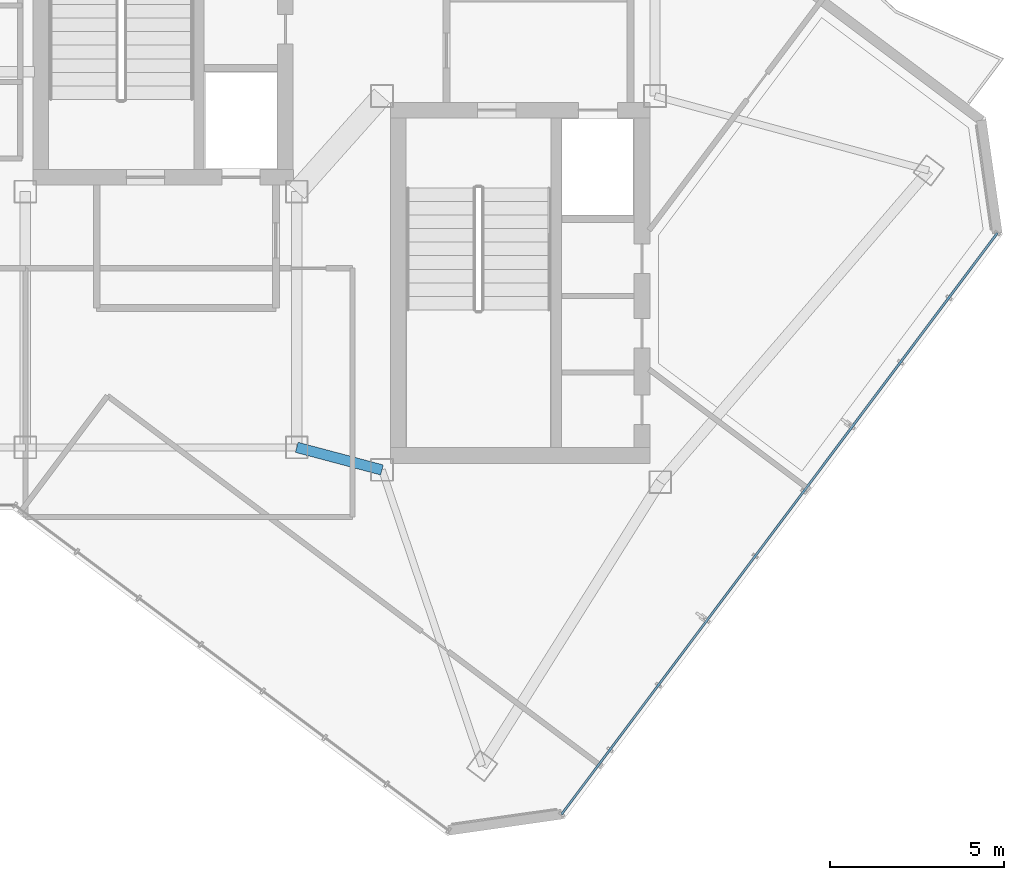
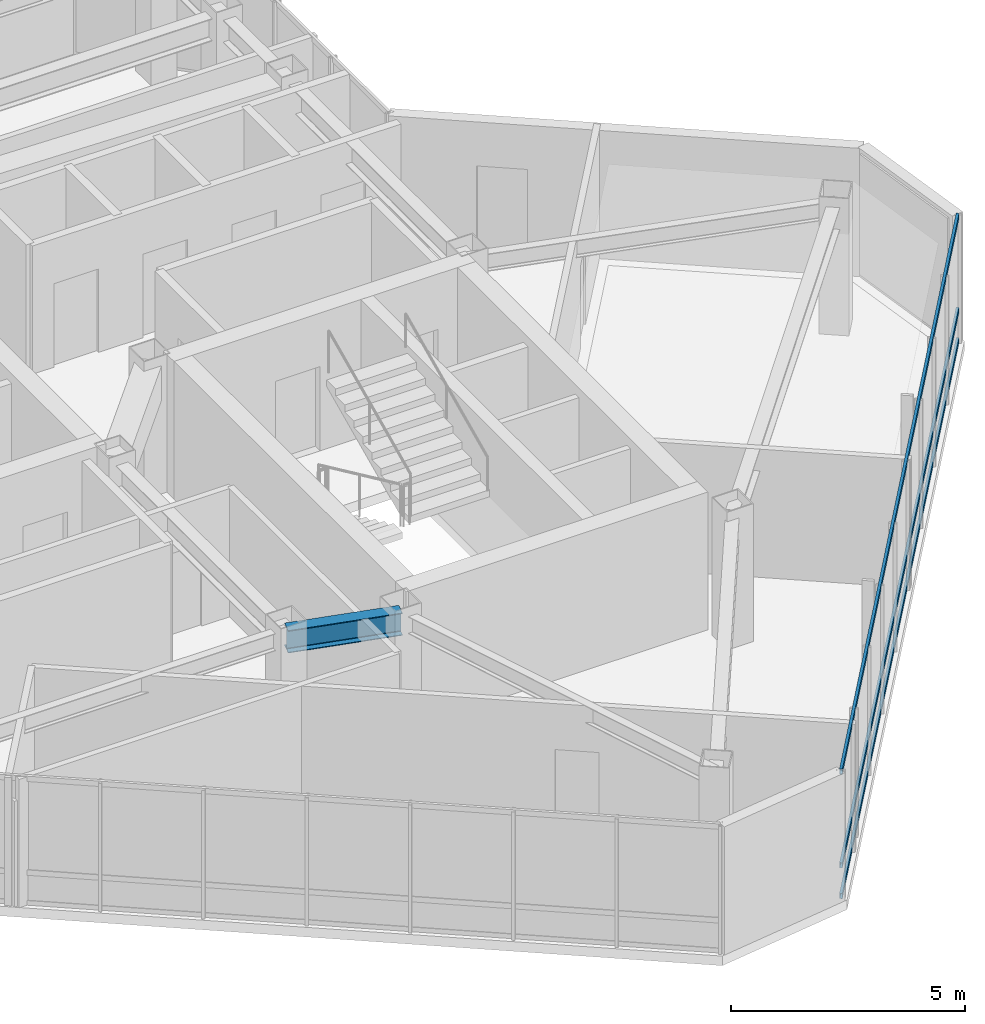
# One storey, part 6 of 18: 3 members, 1 beam, 1 element without a shape of its own.
"""IFC4 building model written with IfcOpenShell, lengths in metres."""

import ifcopenshell
import ifcopenshell.guid

model = None  # the IFC model being written
_history = None  # IfcOwnerHistory: only IFC2X3 demands one
_inside = {}  # id of a spatial element -> (the spatial element, [elements in it])
_under = {}  # id of a project, library or spatial element -> (it, [spatial elements below it])
_declared = {}  # id of a project -> (the project, [libraries it declares])
_typed = {}  # id of a type object -> (the type object, [elements of that type])
_made_of = {}  # id of a material, layer set ... -> (it, [elements and type objects made of it])


def new_model(schema):
    """Start an empty IFC model of exactly this schema.

    Asked for "IFC4X3", IfcOpenShell would pick the latest addendum, in which some entities
    have other attributes; the version numbers below select the first issue.
    IFC2X3 requires an IfcOwnerHistory on every rooted entity: one is made here for all.
    """
    global model, _history
    if schema == "IFC4X3":
        model = ifcopenshell.file(schema_version=(4, 3, 0, 0))
    else:
        model = ifcopenshell.file(schema=schema)
    _inside.clear()
    _under.clear()
    _declared.clear()
    _typed.clear()
    _made_of.clear()
    _history = None
    if model.schema == "IFC2X3":
        org = make("IfcOrganization", Name="unknown")
        user = make(
            "IfcPersonAndOrganization",
            ThePerson=make("IfcPerson", FamilyName="unknown"),
            TheOrganization=org,
        )
        app = make(
            "IfcApplication",
            ApplicationDeveloper=org,
            Version="unknown",
            ApplicationFullName="unknown",
            ApplicationIdentifier="unknown",
        )
        _history = make(
            "IfcOwnerHistory",
            OwningUser=user,
            OwningApplication=app,
            ChangeAction="ADDED",
            CreationDate=0,
        )
    return model


def make(cls, **values):
    """One entity of the class cls with the attributes given. An attribute that is None is left unset."""
    return model.create_entity(
        cls, **{name: value for name, value in values.items() if value is not None}
    )


def rooted(cls, **values):
    """An entity with a GlobalId (a new one), such as an element, a storey or a relation."""
    return make(cls, GlobalId=ifcopenshell.guid.new(), OwnerHistory=_history, **values)


def si_unit(unit_type, name, prefix=None):
    """IfcSIUnit, for example si_unit("LENGTHUNIT", "METRE", prefix="MILLI")."""
    return make("IfcSIUnit", UnitType=unit_type, Prefix=prefix, Name=name)


def assignment(units):
    """IfcUnitAssignment: the units of a project."""
    return None if units is None else make("IfcUnitAssignment", Units=units)


def point(xyz):
    """IfcCartesianPoint."""
    return None if xyz is None else make("IfcCartesianPoint", Coordinates=xyz)


def direction(xyz):
    """IfcDirection."""
    return None if xyz is None else make("IfcDirection", DirectionRatios=xyz)


def frame(location, z_axis=None, x_axis=None):
    """IfcAxis2Placement3D, a coordinate frame: its origin and axes. An axis left out is left unset."""
    return make(
        "IfcAxis2Placement3D",
        Location=point(location),
        Axis=direction(z_axis),
        RefDirection=direction(x_axis),
    )


def frame_2d(location, x_axis=None):
    """IfcAxis2Placement2D, a coordinate frame in the plane: its origin and x axis."""
    return make(
        "IfcAxis2Placement2D", Location=point(location), RefDirection=direction(x_axis)
    )


def origin():
    """The frame at (0, 0, 0) with its axes left unset."""
    return frame((0.0, 0.0, 0.0))


def origin_2d():
    """The frame at (0, 0) in the plane with its x axis left unset."""
    return frame_2d((0.0, 0.0))


def place(relative_to, where):
    """IfcLocalPlacement: puts the frame where relative to a parent placement (None: the world)."""
    return make(
        "IfcLocalPlacement", PlacementRelTo=relative_to, RelativePlacement=where
    )


def context(
    kind, dimensions, precision=None, world=None, true_north=None, identifier=None
):
    """IfcGeometricRepresentationContext, for example the 3D "Model" context."""
    return make(
        "IfcGeometricRepresentationContext",
        ContextIdentifier=identifier,
        ContextType=kind,
        CoordinateSpaceDimension=dimensions,
        Precision=precision,
        WorldCoordinateSystem=world,
        TrueNorth=true_north,
    )


def subcontext(parent, identifier, kind, view, scale=None):
    """IfcGeometricRepresentationSubContext, for example "Body" below "Model"."""
    return make(
        "IfcGeometricRepresentationSubContext",
        ContextIdentifier=identifier,
        ContextType=kind,
        ParentContext=parent,
        TargetScale=scale,
        TargetView=view,
    )


def project(units=None, contexts=None):
    """IfcProject with its units and contexts."""
    return rooted(
        "IfcProject",
        Name="project",
        RepresentationContexts=contexts,
        UnitsInContext=assignment(units),
    )


def spatial(cls, under=None, at=None, **own):
    """A site, building, storey or space (cls), placed at a placement, below another one or the project."""
    s = rooted(cls, ObjectPlacement=at, **own)
    if under is not None:
        _under.setdefault(under.id(), (under, []))[1].append(s)
    return s


def profile(cls, at=None, kind="AREA", **sizes):
    """A parametric profile (cls). Its sizes go by their IFC names, for example OverallWidth=200.0."""
    return make(cls, ProfileType=kind, Position=at, **sizes)


def hollow_rectangle(**sizes):
    """IfcRectangleHollowProfileDef."""
    return profile("IfcRectangleHollowProfileDef", **sizes)


def i_section(**sizes):
    """IfcIShapeProfileDef."""
    return profile("IfcIShapeProfileDef", **sizes)


def extrude(swept, where, along, depth):
    """IfcExtrudedAreaSolid: the profile swept, set in the frame where, extruded along a direction by depth."""
    return make(
        "IfcExtrudedAreaSolid",
        SweptArea=swept,
        Position=where,
        ExtrudedDirection=direction(along),
        Depth=depth,
    )


def shape(context_of_items, identifier, shape_type, items):
    """IfcShapeRepresentation: the items that make up one representation, for example the "Body"."""
    return make(
        "IfcShapeRepresentation",
        ContextOfItems=context_of_items,
        RepresentationIdentifier=identifier,
        RepresentationType=shape_type,
        Items=items,
    )


def material(Name=None, Category=None):
    """IfcMaterial."""
    return make("IfcMaterial", Name=Name, Category=Category)


def layer(
    of_material, thickness, ventilated=None, Name=None, Category=None, Priority=None
):
    """IfcMaterialLayer: one layer of a wall or slab, of a material (None: an air gap)."""
    return make(
        "IfcMaterialLayer",
        Material=of_material,
        LayerThickness=thickness,
        IsVentilated=ventilated,
        Name=Name,
        Category=Category,
        Priority=Priority,
    )


def layer_set(layers, Name=None):
    """IfcMaterialLayerSet."""
    return make("IfcMaterialLayerSet", MaterialLayers=layers, LayerSetName=Name)


def material_profile(
    of_material, cross_section, Name=None, Category=None, Priority=None
):
    """IfcMaterialProfile: a cross section and its material."""
    return make(
        "IfcMaterialProfile",
        Name=Name,
        Material=of_material,
        Profile=cross_section,
        Priority=Priority,
        Category=Category,
    )


def profile_set(profiles, Name=None, composite=None):
    """IfcMaterialProfileSet."""
    return make(
        "IfcMaterialProfileSet",
        Name=Name,
        MaterialProfiles=profiles,
        CompositeProfile=composite,
    )


def made_of(thing, what):
    """Note that an element or type object is made of a material, layer set ...; save() writes the relation."""
    if what is not None:
        _made_of.setdefault(what.id(), (what, []))[1].append(thing)
    return thing


def type_object(cls, material=None, **own):
    """A type object (cls), such as IfcWallType, which elements share."""
    return made_of(rooted(cls, **own), material)


def element(
    cls,
    number,
    at=None,
    inside=None,
    cuts=None,
    type_object=None,
    material=None,
    context=None,
    identifier="Body",
    shape_type=None,
    held_by="IfcProductDefinitionShape",
    body=None,
    shapes=None,
    **own,
):
    """One element of the class cls, such as IfcWall. Its Tag is "e" and its number.

    at: its placement. inside: the storey or other place that contains it. cuts: it is an
    opening in that element (IfcRelVoidsElement). A single representation is given by context,
    identifier, shape_type and body (its items); several are given by shapes. held_by: the class
    of the entity that holds the representations. save() writes the other relations.
    """
    e = rooted(cls, Tag="e%d" % number, ObjectPlacement=at, **own)
    if body is not None:
        shapes = [shape(context, identifier, shape_type, body)]
    if shapes is not None:
        e.Representation = make(held_by, Representations=shapes)
    if inside is not None:
        _inside.setdefault(inside.id(), (inside, []))[1].append(e)
    if cuts is not None:
        rooted(
            "IfcRelVoidsElement", RelatingBuildingElement=cuts, RelatedOpeningElement=e
        )
    if type_object is not None:
        _typed.setdefault(type_object.id(), (type_object, []))[1].append(e)
    return made_of(e, material)


def aggregate(whole, parts):
    """IfcRelAggregates: a whole, such as a stair, and the parts it consists of."""
    return rooted("IfcRelAggregates", RelatingObject=whole, RelatedObjects=parts)


def save(model, path):
    """Write the relations noted so far, then the file.

    IfcRelAggregates (storeys below a building ...), IfcRelContainedInSpatialStructure (elements
    in a storey), IfcRelDefinesByType, IfcRelAssociatesMaterial and IfcRelDeclares: one each for
    every whole, place, type object, material and project.
    """
    for whole, parts in _under.values():
        aggregate(whole, parts)
    for where, things in _inside.values():
        rooted(
            "IfcRelContainedInSpatialStructure",
            RelatedElements=things,
            RelatingStructure=where,
        )
    for kind, things in _typed.values():
        rooted("IfcRelDefinesByType", RelatedObjects=things, RelatingType=kind)
    for what, things in _made_of.values():
        rooted("IfcRelAssociatesMaterial", RelatedObjects=things, RelatingMaterial=what)
    for by, libraries in _declared.values():
        rooted("IfcRelDeclares", RelatingContext=by, RelatedDefinitions=libraries)
    model.write(path)


model = new_model("IFC4")

# Units and contexts
model_context = context("Model", 3, precision=1e-05, world=origin(), true_north=direction((0.0, 1.0)))
body_context = subcontext(model_context, "Body", "Model", "MODEL_VIEW")
ifc_project = project(units=[si_unit("LENGTHUNIT", "METRE"), si_unit("AREAUNIT", "SQUARE_METRE"), si_unit("VOLUMEUNIT", "CUBIC_METRE"), si_unit("PLANEANGLEUNIT", "RADIAN"), si_unit("MASSUNIT", "GRAM", prefix="KILO")], contexts=[model_context])

# Site, building, storey
site_placement = place(None, origin())
site = spatial("IfcSite", under=ifc_project, at=site_placement, CompositionType="ELEMENT")
building_placement = place(site_placement, origin())
building = spatial("IfcBuilding", under=site, at=building_placement, Name="Hatsunagi Terrace Concourse", CompositionType="ELEMENT")
storey_placement = place(building_placement, frame((0.0, 0.0, 250.35009765625)))
storey = spatial("IfcBuildingStorey", under=building, at=storey_placement, Name="L66", CompositionType="ELEMENT", Elevation=250.35009765625)

# Curtain wall, members
ifc_material_1 = material(Name="Anodised Aluminium Alloy 6063-T5", Category="aluminium")
ifc_layer = layer(ifc_material_1, 0.199951171875)
ifc_layer_set = layer_set([ifc_layer], Name="OfficeZone2_CW04")
curtain_wall_type = type_object("IfcCurtainWallType", Name="OfficeZone2_CW04", PredefinedType="NOTDEFINED", material=ifc_layer_set)
curtain_wall_placement = place(storey_placement, origin())
curtain_wall = element("IfcCurtainWall", 1, at=curtain_wall_placement, inside=storey, type_object=curtain_wall_type, Name="Unitised Curtain Wall CW-04 CW-L66-03", PredefinedType="NOTDEFINED")
ifc_material_2 = material(Name="Anodised Aluminium Alloy 6063-T5", Category="aluminium")
ifc_material_profile_1 = material_profile(ifc_material_2, hollow_rectangle(XDim=0.06494140625, YDim=0.139892578125, WallThickness=0.00390625, at=origin_2d()), Name="ALU-TRN-140x65x4")
ifc_profile_set_1 = profile_set([ifc_material_profile_1], Name="Anodised Aluminium Alloy 6063-T5")
member_type = type_object("IfcMemberType", Name="CurtainWallTransom_140x65", PredefinedType="USERDEFINED", material=ifc_profile_set_1)
member_1_placement = place(storey_placement, frame((53.492919921875, 31.35791015625, 0.0498046875), z_axis=(-0.599970072971, -0.800022444397, 0.0), x_axis=(0.800022444397, -0.599970072971, 0.0)))
member_1 = element("IfcMember", 2, at=member_1_placement, type_object=member_type, Name="Curtain Wall Transom TRN-02", ObjectType="TRANSOM", PredefinedType="USERDEFINED", context=body_context, shape_type="SweptSolid", body=[
    extrude(hollow_rectangle(XDim=0.06494140625, YDim=0.139892578125, WallThickness=0.00390625, at=origin_2d()), origin(), (0.0, 0.0, 1.0), 20.884521484375),
])
member_2_placement = place(storey_placement, frame((53.492919921875, 31.35791015625, 0.849853515625), z_axis=(-0.599970072971, -0.800022444397, 0.0), x_axis=(0.800022444397, -0.599970072971, 0.0)))
member_2 = element("IfcMember", 3, at=member_2_placement, type_object=member_type, Name="Curtain Wall Transom TRN-02", ObjectType="TRANSOM", PredefinedType="USERDEFINED", context=body_context, shape_type="SweptSolid", body=[
    extrude(hollow_rectangle(XDim=0.06494140625, YDim=0.139892578125, WallThickness=0.00390625, at=origin_2d()), origin(), (0.0, 0.0, 1.0), 20.884521484375),
])
member_3_placement = place(storey_placement, frame((53.492919921875, 31.35791015625, 3.2998046875), z_axis=(-0.599970072971, -0.800022444397, 0.0), x_axis=(0.800022444397, -0.599970072971, 0.0)))
member_3 = element("IfcMember", 4, at=member_3_placement, type_object=member_type, Name="Curtain Wall Transom TRN-02", ObjectType="TRANSOM", PredefinedType="USERDEFINED", context=body_context, shape_type="SweptSolid", body=[
    extrude(hollow_rectangle(XDim=0.06494140625, YDim=0.139892578125, WallThickness=0.00390625, at=origin_2d()), origin(), (0.0, 0.0, 1.0), 20.884521484375),
])
aggregate(curtain_wall, [member_1, member_2, member_3])

# Beam
ifc_material_3 = material(Name="Steel SN490B", Category="steel")
ifc_material_profile_2 = material_profile(ifc_material_3, i_section(OverallWidth=0.300048828125, OverallDepth=0.587890625, WebThickness=0.011962890625, FlangeThickness=0.02001953125, FilletRadius=0.01806640625, at=origin_2d()), Name="H-588x300x12x20")
ifc_profile_set_2 = profile_set([ifc_material_profile_2], Name="Steel SN490B")
beam_type = type_object("IfcBeamType", Name="OfficeHighGirder_H_588x300", PredefinedType="BEAM", material=ifc_profile_set_2)
beam_placement = place(storey_placement, frame((33.35009765625, 25.199951171875, 3.055908203125), z_axis=(0.966569840116, -0.256403479262, 0.0), x_axis=(0.256403479262, 0.966569840116, 0.0)))
element("IfcBeam", 5, at=beam_placement, inside=storey, type_object=beam_type, Name="Beam G-06 BM-L66-K2CB", PredefinedType="BEAM", context=body_context, shape_type="SweptSolid", body=[
    extrude(i_section(OverallWidth=0.300048828125, OverallDepth=0.587890625, WebThickness=0.011962890625, FlangeThickness=0.02001953125, FilletRadius=0.01806640625, at=origin_2d()), origin(), (0.0, 0.0, 1.0), 2.53466796875),
])

save(model, "model.ifc")
